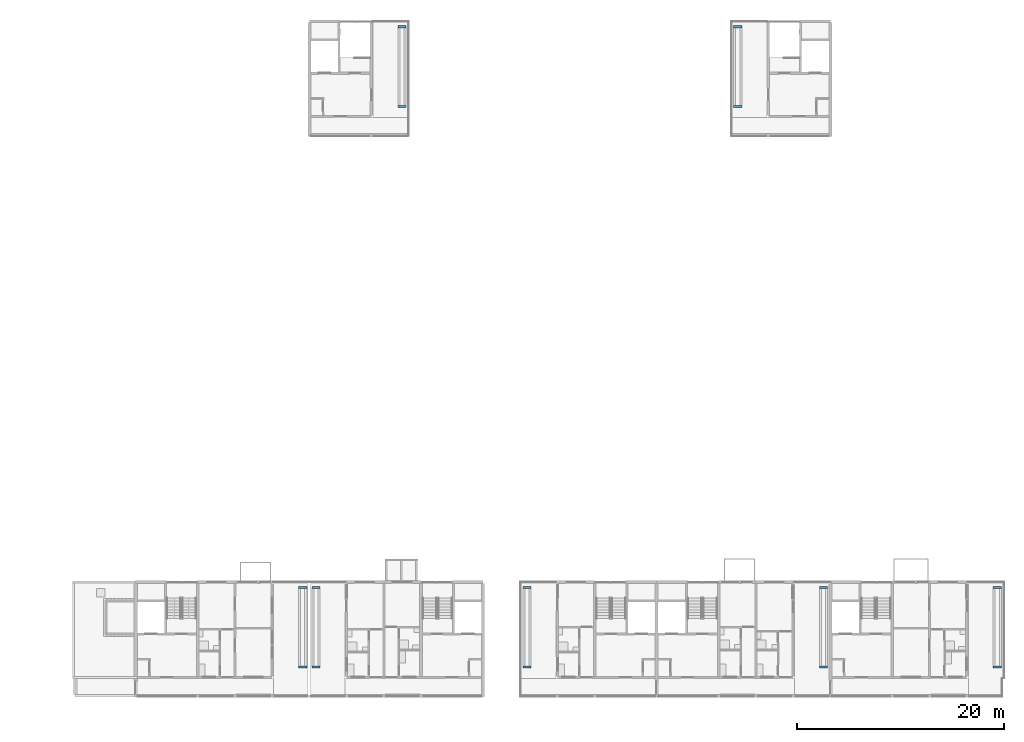
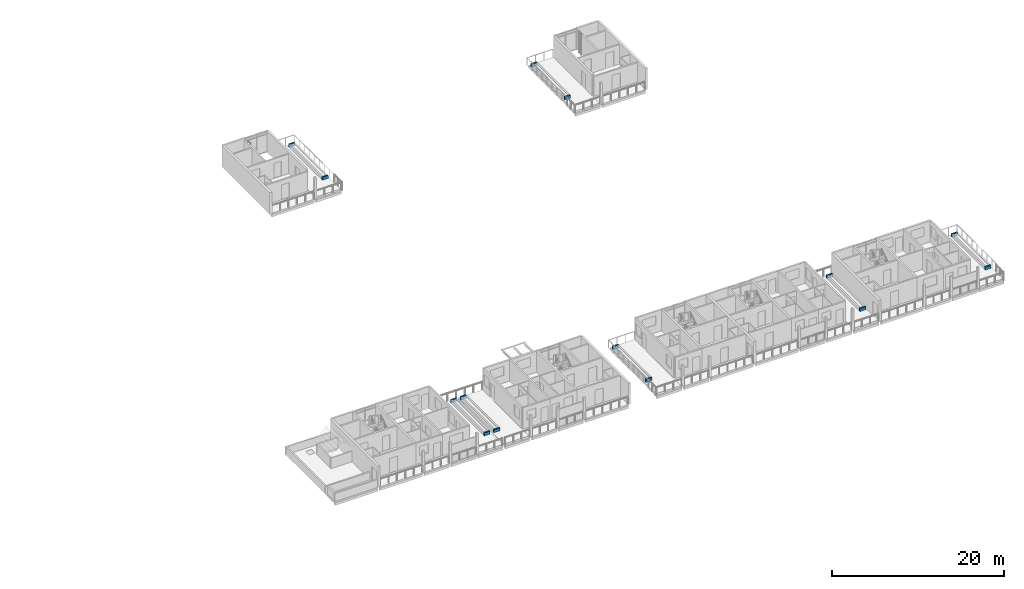
# One storey, part 39 of 55: 14 walls.
"""IFC4 building model written with IfcOpenShell, lengths in metres."""

from ifc_helpers import new_model, si_unit, direction, frame, frame_2d, origin, place, context, subcontext, project, spatial, rectangle, extrude, material, layer, layer_set, type_object, element, save


model = new_model("IFC4")

# Units and contexts
model_context = context("Model", 3, precision=1e-05, world=origin(), true_north=direction((0.0, 1.0)))
body_context = subcontext(model_context, "Body", "Model", "MODEL_VIEW")
ifc_project = project(units=[si_unit("LENGTHUNIT", "METRE"), si_unit("AREAUNIT", "SQUARE_METRE"), si_unit("VOLUMEUNIT", "CUBIC_METRE"), si_unit("PLANEANGLEUNIT", "RADIAN"), si_unit("MASSUNIT", "GRAM", prefix="KILO")], contexts=[model_context])

# Site, building, storey
site_placement = place(None, origin())
site = spatial("IfcSite", under=ifc_project, at=site_placement, CompositionType="ELEMENT")
building_placement = place(site_placement, origin())
building = spatial("IfcBuilding", under=site, at=building_placement, Name="Ridgestep Commons", CompositionType="ELEMENT")
storey_placement = place(building_placement, frame((0.0, 0.0, 36.0)))
storey = spatial("IfcBuildingStorey", under=building, at=storey_placement, Name="L12", CompositionType="ELEMENT", Elevation=36.0)

# Walls
ifc_material = material(Name="Facing brick", Category="masonry")
ifc_layer = layer(ifc_material, 0.199951171875)
ifc_layer_set = layer_set([ifc_layer], Name="Planter wall 200")
wall_type = type_object("IfcWallType", Name="Planter wall 200", PredefinedType="SOLIDWALL", material=ifc_layer_set)
for number, where, z_axis, x_axis, name in (
    (1, (179.35009765625, 14.64990234375, 0.010009765625), (0.0, 0.0, 1.0), (1.0, 0.0, 0.0), "Planter wall D2R1S"),
    (2, (179.35009765625, 22.35009765625, 0.010009765625), (0.0, 0.0, 1.0), (1.0, 0.0, 0.0), "Planter wall D2R1N"),
):
    element("IfcWall", number, at=place(storey_placement, frame(where, z_axis=z_axis, x_axis=x_axis)), inside=storey, type_object=wall_type, Name=name, PredefinedType="SOLIDWALL", context=body_context, shape_type="SweptSolid", body=[
        extrude(rectangle(XDim=0.7998046875, YDim=0.199951171875, at=frame_2d((0.39990234375, 0.0))), origin(), (0.0, 0.0, 1.0), 0.449951171875),
    ])
for number, where, z_axis, x_axis, name in (
    (3, (180.64990234375, 14.64990234375, 0.010009765625), (0.0, 0.0, 1.0), (1.0, 0.0, 0.0), "Planter wall D3R1S"),
    (4, (180.64990234375, 22.35009765625, 0.010009765625), (0.0, 0.0, 1.0), (1.0, 0.0, 0.0), "Planter wall D3R1N"),
    (5, (201.050048828125, 14.64990234375, 0.010009765625), (0.0, 0.0, 1.0), (1.0, 0.0, 0.0), "Planter wall D4R2S"),
    (6, (201.050048828125, 22.35009765625, 0.010009765625), (0.0, 0.0, 1.0), (1.0, 0.0, 0.0), "Planter wall D4R2N"),
    (7, (229.75, 14.64990234375, 0.010009765625), (0.0, 0.0, 1.0), (1.0, 0.0, 0.0), "Planter wall D5R1S"),
    (8, (229.75, 22.35009765625, 0.010009765625), (0.0, 0.0, 1.0), (1.0, 0.0, 0.0), "Planter wall D5R1N"),
    (9, (246.550048828125, 14.64990234375, 0.010009765625), (0.0, 0.0, 1.0), (1.0, 0.0, 0.0), "Planter wall D6R1S"),
    (10, (246.550048828125, 22.35009765625, 0.010009765625), (0.0, 0.0, 1.0), (1.0, 0.0, 0.0), "Planter wall D6R1N"),
    (11, (188.949951171875, 68.89990234375, 0.010009765625), (0.0, 0.0, 1.0), (1.0, 0.0, 0.0), "Planter wall C3R3S"),
    (12, (188.949951171875, 76.60009765625, 0.010009765625), (0.0, 0.0, 1.0), (1.0, 0.0, 0.0), "Planter wall C3R3N"),
    (13, (221.449951171875, 68.89990234375, 0.010009765625), (0.0, 0.0, 1.0), (1.0, 0.0, 0.0), "Planter wall C5R3S"),
    (14, (221.449951171875, 76.60009765625, 0.010009765625), (0.0, 0.0, 1.0), (1.0, 0.0, 0.0), "Planter wall C5R3N"),
):
    element("IfcWall", number, at=place(storey_placement, frame(where, z_axis=z_axis, x_axis=x_axis)), inside=storey, type_object=wall_type, Name=name, PredefinedType="SOLIDWALL", context=body_context, shape_type="SweptSolid", body=[
        extrude(rectangle(XDim=0.800048828125, YDim=0.199951171875, at=frame_2d((0.39990234375, 0.0))), origin(), (0.0, 0.0, 1.0), 0.449951171875),
    ])

save(model, "model.ifc")
